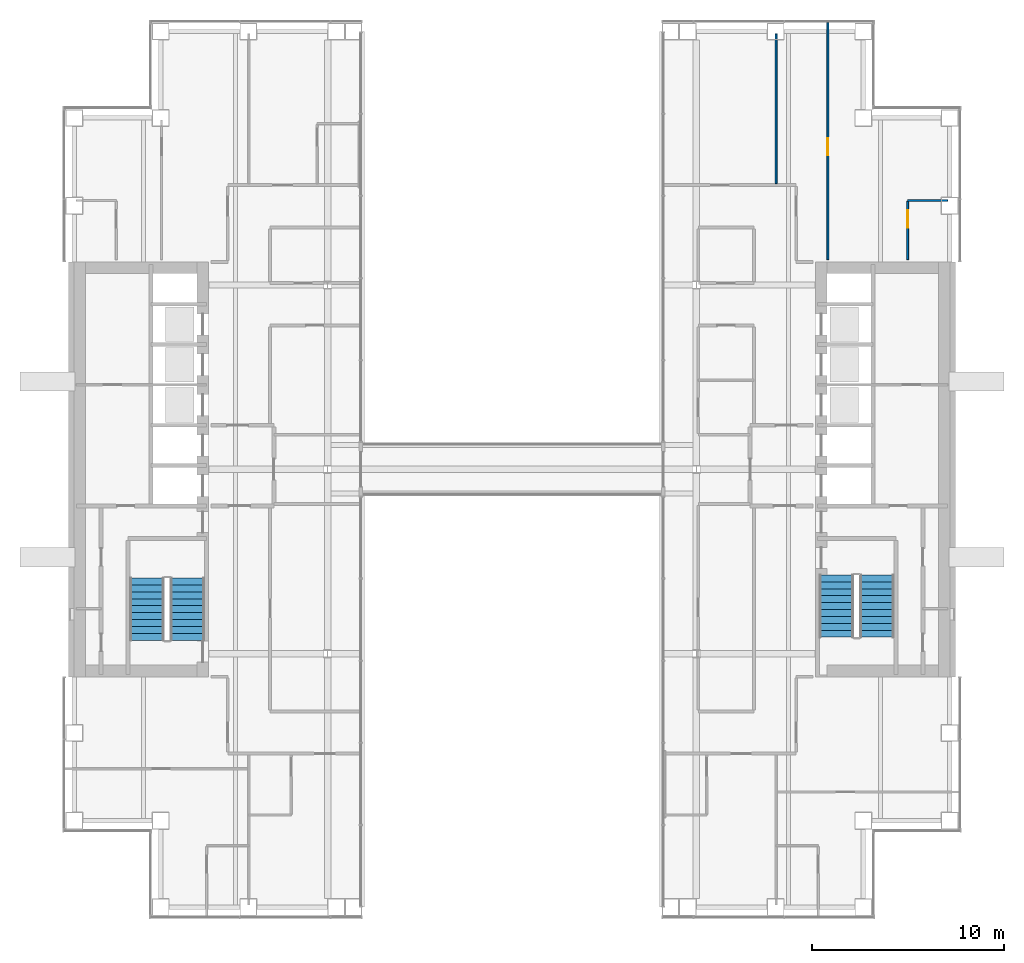
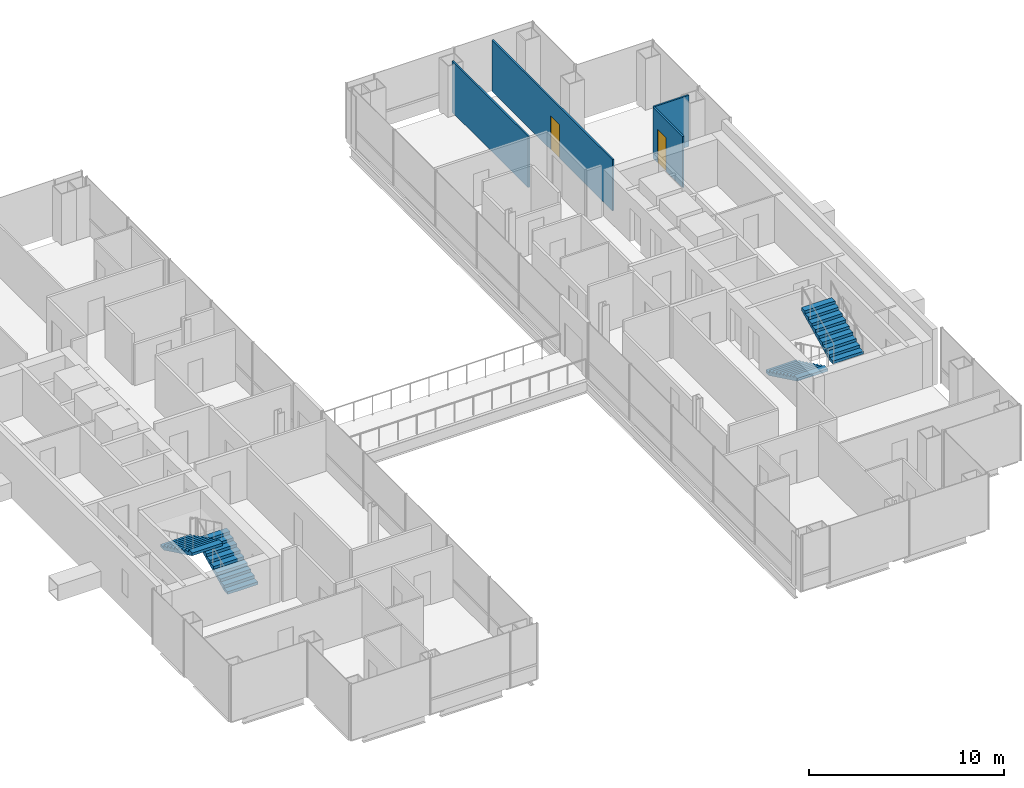
# One storey, part 15 of 17: 4 stair flights, 4 walls, 2 doors, 2 openings, 2 elements without a shape of their own.
"""IFC4 building model written with IfcOpenShell, lengths in metres."""

from ifc_helpers import new_model, si_unit, direction, frame, frame_2d, origin, place, context, subcontext, project, spatial, polyline, rectangle, outline, extrude, material, layer, layer_set, type_object, element, fill, aggregate, save


model = new_model("IFC4")

# Units and contexts
model_context = context("Model", 3, precision=1e-05, world=origin(), true_north=direction((0.0, 1.0)))
body_context = subcontext(model_context, "Body", "Model", "MODEL_VIEW")
ifc_project = project(units=[si_unit("LENGTHUNIT", "METRE"), si_unit("AREAUNIT", "SQUARE_METRE"), si_unit("VOLUMEUNIT", "CUBIC_METRE"), si_unit("PLANEANGLEUNIT", "RADIAN"), si_unit("MASSUNIT", "GRAM", prefix="KILO")], contexts=[model_context])

# Site, building, storey
site_placement = place(None, origin())
site = spatial("IfcSite", under=ifc_project, at=site_placement, CompositionType="ELEMENT")
building_placement = place(site_placement, origin())
building = spatial("IfcBuilding", under=site, at=building_placement, Name="Cobrizo Arcos Hotel Tower", CompositionType="ELEMENT")
storey_placement = place(building_placement, frame((0.0, 0.0, 134.5)))
storey = spatial("IfcBuildingStorey", under=building, at=storey_placement, Name="L34", CompositionType="ELEMENT", Elevation=134.5)

# Walls
ifc_material_1 = material(Name="Gypsum board partition")
ifc_layer = layer(ifc_material_1, 0.10009765625)
ifc_layer_set = layer_set([ifc_layer], Name="Partition EI 30 100")
wall_type = type_object("IfcWallType", Name="Partition EI 30 100", PredefinedType="PARTITIONING", material=ifc_layer_set)
wall_1_placement = place(storey_placement, frame((20.60009765625, 14.0, 0.0), z_axis=(0.0, 0.0, 1.0), x_axis=(1.0, 0.0, 0.0)))
element("IfcWall", 1, at=wall_1_placement, inside=storey, type_object=wall_type, Name="Partition 048", PredefinedType="PARTITIONING", context=body_context, shape_type="SweptSolid", body=[
    extrude(rectangle(XDim=2.079833984375, YDim=0.10009765625, at=frame_2d((1.0400390625, 0.0))), origin(), (0.0, 0.0, 1.0), 3.199951171875),
])
wall_2_placement = place(storey_placement, frame((13.75, 14.875, 0.0), z_axis=(0.0, 0.0, 1.0), x_axis=(0.0, 1.0, 0.0)))
element("IfcWall", 2, at=wall_2_placement, inside=storey, type_object=wall_type, Name="Partition 082", PredefinedType="PARTITIONING", context=body_context, shape_type="SweptSolid", body=[
    extrude(rectangle(XDim=7.804931640625, YDim=0.10009765625, at=frame_2d((3.90234375, 0.0))), origin(), (0.0, 0.0, 1.0), 3.199951171875),
])

# Wall, opening, door
wall_3_placement = place(storey_placement, frame((16.449951171875, 10.919921875, 0.0), z_axis=(0.0, 0.0, 1.0), x_axis=(0.0, 1.0, 0.0)))
wall_3 = element("IfcWall", 3, at=wall_3_placement, inside=storey, type_object=wall_type, Name="Partition 086", PredefinedType="PARTITIONING", context=body_context, shape_type="SweptSolid", body=[
    extrude(rectangle(XDim=12.360107421875, YDim=0.10009765625, at=frame_2d((6.18017578125, 0.0))), origin(), (0.0, 0.0, 1.0), 3.199951171875),
])
opening_1_placement = place(wall_3_placement, frame((5.429931640625, 0.0, 0.0)))
opening_1 = element("IfcOpeningElement", 4, at=opening_1_placement, cuts=wall_3, Name="Opening RD-13", PredefinedType="OPENING", context=body_context, shape_type="SweptSolid", body=[
    extrude(rectangle(XDim=0.89990234375, YDim=2.10009765625, at=frame_2d((0.449951171875, 1.050048828125))), frame((0.0, 0.06201171875, 0.0), z_axis=(0.0, -1.0, 0.0), x_axis=(1.0, 0.0, 0.0)), (0.0, 0.0, 1.0), 0.1240234375),
])
ifc_material_2 = material(Name="Timber door leaf", Category="wood")
door_type_1 = type_object("IfcDoorType", Name="Room door FD30 900x2100", OperationType="SINGLE_SWING_LEFT", PredefinedType="DOOR", material=ifc_material_2)
door_1_placement = place(opening_1_placement, origin())
door_1 = element("IfcDoor", 5, at=door_1_placement, inside=storey, type_object=door_type_1, Name="Door RD-13", OperationType="SINGLE_SWING_RIGHT", OverallHeight=2.10009765625, OverallWidth=0.89990234375, PredefinedType="DOOR", context=body_context, shape_type="SweptSolid", body=[
    extrude(rectangle(XDim=0.89990234375, YDim=2.10009765625, at=frame_2d((0.449951171875, 1.050048828125))), frame((0.0, 0.02490234375, 0.0), z_axis=(0.0, -1.0, 0.0), x_axis=(1.0, 0.0, 0.0)), (0.0, 0.0, 1.0), 0.050048828125),
])
fill(opening_1, door_1)

wall_4_placement = place(storey_placement, frame((20.60009765625, 10.919921875, 0.0), z_axis=(0.0, 0.0, 1.0), x_axis=(0.0, 1.0, 0.0)))
wall_4 = element("IfcWall", 6, at=wall_4_placement, inside=storey, type_object=wall_type, Name="Partition 090", PredefinedType="PARTITIONING", context=body_context, shape_type="SweptSolid", body=[
    extrude(rectangle(XDim=3.030029296875, YDim=0.10009765625, at=frame_2d((1.51513671875, 0.0))), origin(), (0.0, 0.0, 1.0), 3.199951171875),
])
opening_2_placement = place(wall_4_placement, frame((1.669921875, 0.0, 0.0)))
opening_2 = element("IfcOpeningElement", 7, at=opening_2_placement, cuts=wall_4, Name="Opening ED-07", PredefinedType="OPENING", context=body_context, shape_type="SweptSolid", body=[
    extrude(rectangle(XDim=0.89990234375, YDim=2.10009765625, at=frame_2d((0.449951171875, 1.050048828125))), frame((0.0, 0.06201171875, 0.0), z_axis=(0.0, -1.0, 0.0), x_axis=(1.0, 0.0, 0.0)), (0.0, 0.0, 1.0), 0.1240234375),
])
door_type_2 = type_object("IfcDoorType", Name="En-suite door 900x2100", OperationType="SINGLE_SWING_LEFT", PredefinedType="DOOR", material=ifc_material_2)
door_2_placement = place(opening_2_placement, origin())
door_2 = element("IfcDoor", 8, at=door_2_placement, inside=storey, type_object=door_type_2, Name="Door ED-07", OperationType="SINGLE_SWING_LEFT", OverallHeight=2.10009765625, OverallWidth=0.89990234375, PredefinedType="DOOR", context=body_context, shape_type="SweptSolid", body=[
    extrude(rectangle(XDim=0.89990234375, YDim=2.10009765625, at=frame_2d((0.449951171875, 1.050048828125))), frame((0.0, 0.02490234375, 0.0), z_axis=(0.0, -1.0, 0.0), x_axis=(1.0, 0.0, 0.0)), (0.0, 0.0, 1.0), 0.050048828125),
])
fill(opening_2, door_2)

# Stair, stair flights
ifc_material_3 = material(Name="Concrete f'c 40 MPa", Category="concrete")
stair_type = type_object("IfcStairType", Name="Exit stair", PredefinedType="HALF_TURN_STAIR", material=ifc_material_3)
stair_1_placement = place(storey_placement, origin())
stair_1 = element("IfcStair", 9, at=stair_1_placement, inside=storey, type_object=stair_type, Name="L34 Exit stair ST-W", PredefinedType="HALF_TURN_STAIR")
stair_flight_type = type_object("IfcStairFlightType", Name="Exit stair flight", PredefinedType="STRAIGHT", material=ifc_material_3)
stair_flight_1_placement = place(storey_placement, frame((-16.89990234375, -8.89990234375, 0.0), z_axis=(0.0, 0.0, 1.0), x_axis=(0.0, 1.0, 0.0)))
stair_flight_1 = element("IfcStairFlight", 10, at=stair_flight_1_placement, type_object=stair_flight_type, Name="ST-W flight 1", NumberOfRisers=10, NumberOfTreads=9, PredefinedType="STRAIGHT", RiserHeight=0.175, TreadLength=0.36, context=body_context, shape_type="SweptSolid", body=[
    extrude(outline(polyline([(0.0, 0.0), (0.0, 0.175048828125), (0.360107421875, 0.175048828125), (0.360107421875, 0.35009765625), (0.719970703125, 0.35009765625), (0.719970703125, 0.52490234375), (1.080078125, 0.52490234375), (1.080078125, 0.699951171875), (1.43994140625, 0.699951171875), (1.43994140625, 0.875), (1.800048828125, 0.875), (1.800048828125, 1.050048828125), (2.159912109375, 1.050048828125), (2.159912109375, 1.22509765625), (2.52001953125, 1.22509765625), (2.52001953125, 1.39990234375), (2.8798828125, 1.39990234375), (2.8798828125, 1.574951171875), (3.239990234375, 1.574951171875), (3.239990234375, 1.75), (3.239990234375, 1.408203125), (0.3427734375, 0.0), (0.0, 0.0)])), frame((0.0, 0.89990234375, 0.0), z_axis=(0.0, -1.0, 0.0), x_axis=(1.0, 0.0, 0.0)), (0.0, 0.0, 1.0), 1.800048828125),
])
stair_flight_2_placement = place(storey_placement, frame((-19.0, -5.659912109375, 1.75), z_axis=(0.0, 0.0, 1.0), x_axis=(0.0, -1.0, 0.0)))
stair_flight_2 = element("IfcStairFlight", 11, at=stair_flight_2_placement, type_object=stair_flight_type, Name="ST-W flight 2", NumberOfRisers=10, NumberOfTreads=9, PredefinedType="STRAIGHT", RiserHeight=0.175, TreadLength=0.36, context=body_context, shape_type="SweptSolid", body=[
    extrude(outline(polyline([(0.0, 0.0), (0.0, 0.175048828125), (0.360107421875, 0.175048828125), (0.360107421875, 0.35009765625), (0.719970703125, 0.35009765625), (0.719970703125, 0.52490234375), (1.080078125, 0.52490234375), (1.080078125, 0.699951171875), (1.43994140625, 0.699951171875), (1.43994140625, 0.875), (1.800048828125, 0.875), (1.800048828125, 1.050048828125), (2.159912109375, 1.050048828125), (2.159912109375, 1.22509765625), (2.52001953125, 1.22509765625), (2.52001953125, 1.39990234375), (2.8798828125, 1.39990234375), (2.8798828125, 1.574951171875), (3.239990234375, 1.574951171875), (3.239990234375, 1.75), (3.239990234375, 1.408203125), (0.3427734375, 0.0), (0.0, 0.0)])), frame((0.0, 0.89990234375, 0.0), z_axis=(0.0, -1.0, 0.0), x_axis=(1.0, 0.0, 0.0)), (0.0, 0.0, 1.0), 1.800048828125),
])
aggregate(stair_1, [stair_flight_1, stair_flight_2])

stair_2_placement = place(storey_placement, origin())
stair_2 = element("IfcStair", 12, at=stair_2_placement, inside=storey, type_object=stair_type, Name="L34 Exit stair ST-E", PredefinedType="HALF_TURN_STAIR")
stair_flight_3_placement = place(storey_placement, frame((16.89990234375, -5.5, 0.0), z_axis=(0.0, 0.0, 1.0), x_axis=(0.0, -1.0, 0.0)))
stair_flight_3 = element("IfcStairFlight", 13, at=stair_flight_3_placement, type_object=stair_flight_type, Name="ST-E flight 1", NumberOfRisers=10, NumberOfTreads=9, PredefinedType="STRAIGHT", RiserHeight=0.175, TreadLength=0.36, context=body_context, shape_type="SweptSolid", body=[
    extrude(outline(polyline([(0.0, 0.0), (0.0, 0.175048828125), (0.360107421875, 0.175048828125), (0.360107421875, 0.35009765625), (0.719970703125, 0.35009765625), (0.719970703125, 0.52490234375), (1.080078125, 0.52490234375), (1.080078125, 0.699951171875), (1.43994140625, 0.699951171875), (1.43994140625, 0.875), (1.800048828125, 0.875), (1.800048828125, 1.050048828125), (2.159912109375, 1.050048828125), (2.159912109375, 1.22509765625), (2.52001953125, 1.22509765625), (2.52001953125, 1.39990234375), (2.8798828125, 1.39990234375), (2.8798828125, 1.574951171875), (3.239990234375, 1.574951171875), (3.239990234375, 1.75), (3.239990234375, 1.408203125), (0.3427734375, 0.0), (0.0, 0.0)])), frame((0.0, 0.89990234375, 0.0), z_axis=(0.0, -1.0, 0.0), x_axis=(1.0, 0.0, 0.0)), (0.0, 0.0, 1.0), 1.800048828125),
])
stair_flight_4_placement = place(storey_placement, frame((19.0, -8.739990234375, 1.75), z_axis=(0.0, 0.0, 1.0), x_axis=(0.0, 1.0, 0.0)))
stair_flight_4 = element("IfcStairFlight", 14, at=stair_flight_4_placement, type_object=stair_flight_type, Name="ST-E flight 2", NumberOfRisers=10, NumberOfTreads=9, PredefinedType="STRAIGHT", RiserHeight=0.175, TreadLength=0.36, context=body_context, shape_type="SweptSolid", body=[
    extrude(outline(polyline([(0.0, 0.0), (0.0, 0.175048828125), (0.360107421875, 0.175048828125), (0.360107421875, 0.35009765625), (0.719970703125, 0.35009765625), (0.719970703125, 0.52490234375), (1.080078125, 0.52490234375), (1.080078125, 0.699951171875), (1.43994140625, 0.699951171875), (1.43994140625, 0.875), (1.800048828125, 0.875), (1.800048828125, 1.050048828125), (2.159912109375, 1.050048828125), (2.159912109375, 1.22509765625), (2.52001953125, 1.22509765625), (2.52001953125, 1.39990234375), (2.8798828125, 1.39990234375), (2.8798828125, 1.574951171875), (3.239990234375, 1.574951171875), (3.239990234375, 1.75), (3.239990234375, 1.408203125), (0.3427734375, 0.0), (0.0, 0.0)])), frame((0.0, 0.89990234375, 0.0), z_axis=(0.0, -1.0, 0.0), x_axis=(1.0, 0.0, 0.0)), (0.0, 0.0, 1.0), 1.800048828125),
])
aggregate(stair_2, [stair_flight_3, stair_flight_4])

save(model, "model.ifc")
